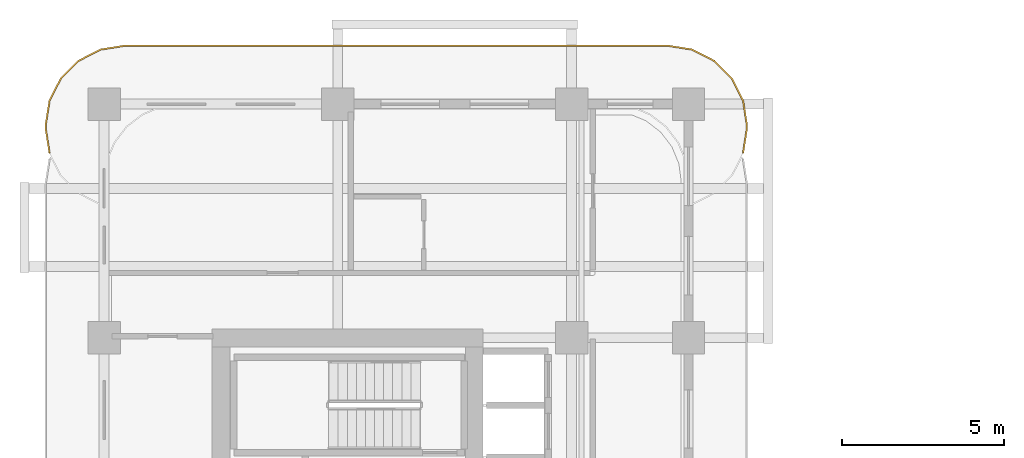
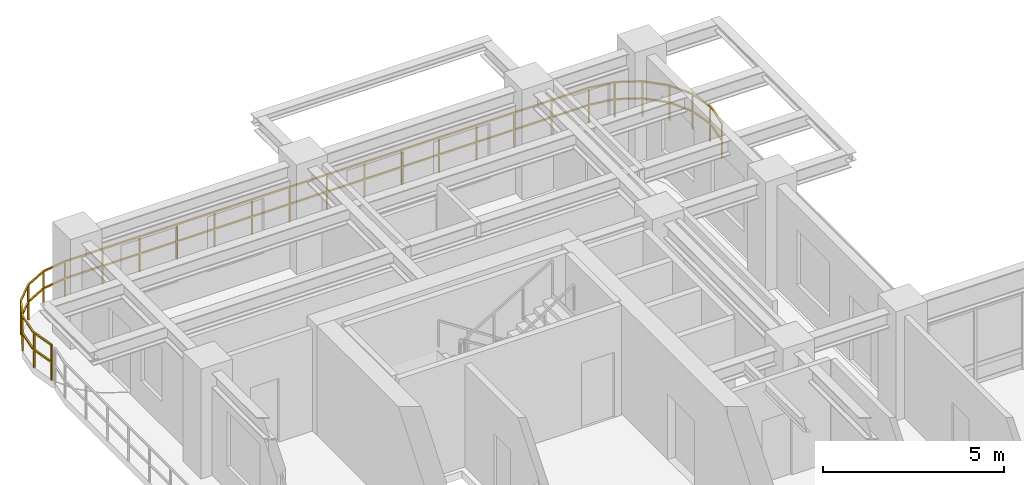
# One storey, part 20 of 20: 1 railing.
"""IFC4 building model written with IfcOpenShell, lengths in metres."""

from ifc_helpers import new_model, si_unit, derived_unit, direction, frame, origin, origin_2d, place, context, subcontext, project, spatial, rectangle, extrude, material, type_object, element, save


model = new_model("IFC4")

# Units and contexts
model_context = context("Model", 3, precision=1e-05, world=origin(), true_north=direction((0.0, 1.0)))
body_context = subcontext(model_context, "Body", "Model", "MODEL_VIEW")
ifc_project = project(units=[si_unit("LENGTHUNIT", "METRE"), si_unit("AREAUNIT", "SQUARE_METRE"), si_unit("VOLUMEUNIT", "CUBIC_METRE"), si_unit("PLANEANGLEUNIT", "RADIAN"), si_unit("MASSUNIT", "GRAM", prefix="KILO"), si_unit("THERMODYNAMICTEMPERATUREUNIT", "KELVIN"), si_unit("POWERUNIT", "WATT"), derived_unit("THERMALTRANSMITTANCEUNIT", [(si_unit("POWERUNIT", "WATT"), 1), (si_unit("AREAUNIT", "SQUARE_METRE"), -1), (si_unit("THERMODYNAMICTEMPERATUREUNIT", "KELVIN"), -1)])], contexts=[model_context])

# Site, building, storey
site_placement = place(None, origin())
site = spatial("IfcSite", under=ifc_project, at=site_placement, CompositionType="ELEMENT")
building_placement = place(site_placement, origin())
building = spatial("IfcBuilding", under=site, at=building_placement, Name="Zahravan Archway Hotel and Residences", CompositionType="ELEMENT")
storey_placement = place(building_placement, frame((0.0, 0.0, 111.800048828125)))
storey = spatial("IfcBuildingStorey", under=building, at=storey_placement, Name="L27", CompositionType="ELEMENT", Elevation=111.800048828125)

# Railing
ifc_material = material(Name="Bronze & Laminated Glass Balustrade", Category="glass")
railing_type = type_object("IfcRailingType", Name="RL-BAL-1200", PredefinedType="BALUSTRADE", material=ifc_material)
railing_placement = place(storey_placement, frame((-1.68017578125, 45.29296875, 0.0)))
element("IfcRailing", 1, at=railing_placement, inside=storey, type_object=railing_type, Name="L27 Balustrade RL-SLB-BAL-L27-NB-1", PredefinedType="BALUSTRADE", context=body_context, shape_type="SweptSolid", body=[
    extrude(rectangle(XDim=0.048095703125, YDim=0.048095703125, at=origin_2d()), frame((0.0, 0.0, 1.17578125), z_axis=(-0.156387811283, 0.987695728695, 0.0), x_axis=(-0.987695728695, -0.156387811283, 0.0)), (0.0, 0.0, 1.0), 0.7666015625),
    extrude(rectangle(XDim=0.048095703125, YDim=0.048095703125, at=origin_2d()), frame((0.0, 0.0, 0.60009765625), z_axis=(-0.156387811283, 0.987695728695, 0.0), x_axis=(-0.987695728695, -0.156387811283, 0.0)), (0.0, 0.0, 1.0), 0.7666015625),
    extrude(rectangle(XDim=0.048095703125, YDim=0.048095703125, at=origin_2d()), frame((-0.119873046875, 0.757080078125, 1.17578125), z_axis=(0.0, 1.0, 0.0), x_axis=(-1.0, 0.0, 0.0)), (0.0, 0.0, 1.0), 0.099853515625),
    extrude(rectangle(XDim=0.048095703125, YDim=0.048095703125, at=origin_2d()), frame((-0.119873046875, 0.757080078125, 0.60009765625), z_axis=(0.0, 1.0, 0.0), x_axis=(-1.0, 0.0, 0.0)), (0.0, 0.0, 1.0), 0.099853515625),
    extrude(rectangle(XDim=0.048095703125, YDim=0.048095703125, at=origin_2d()), frame((-0.119873046875, 0.85693359375, 1.17578125), z_axis=(0.156387811283, 0.987695728695, 0.0), x_axis=(-0.987695728695, 0.156387811283, 0.0)), (0.0, 0.0, 1.0), 0.7666015625),
    extrude(rectangle(XDim=0.048095703125, YDim=0.048095703125, at=origin_2d()), frame((-0.119873046875, 0.85693359375, 0.60009765625), z_axis=(0.156387811283, 0.987695728695, 0.0), x_axis=(-0.987695728695, 0.156387811283, 0.0)), (0.0, 0.0, 1.0), 0.7666015625),
    extrude(rectangle(XDim=0.048095703125, YDim=0.048095703125, at=origin_2d()), frame((0.0, 1.614013671875, 1.17578125), z_axis=(0.454078418624, 0.890961721815, 0.0), x_axis=(-0.890961721815, 0.454078418624, 0.0)), (0.0, 0.0, 1.0), 0.7666015625),
    extrude(rectangle(XDim=0.048095703125, YDim=0.048095703125, at=origin_2d()), frame((0.0, 1.614013671875, 0.60009765625), z_axis=(0.454078418624, 0.890961721815, 0.0), x_axis=(-0.890961721815, 0.454078418624, 0.0)), (0.0, 0.0, 1.0), 0.7666015625),
    extrude(rectangle(XDim=0.048095703125, YDim=0.048095703125, at=origin_2d()), frame((0.34814453125, 2.297119140625, 1.17578125), z_axis=(0.707106781187, 0.707106781187, 0.0), x_axis=(-0.707106781187, 0.707106781187, 0.0)), (0.0, 0.0, 1.0), 0.7666015625),
    extrude(rectangle(XDim=0.048095703125, YDim=0.048095703125, at=origin_2d()), frame((0.34814453125, 2.297119140625, 0.60009765625), z_axis=(0.707106781187, 0.707106781187, 0.0), x_axis=(-0.707106781187, 0.707106781187, 0.0)), (0.0, 0.0, 1.0), 0.7666015625),
    extrude(rectangle(XDim=0.048095703125, YDim=0.048095703125, at=origin_2d()), frame((0.89013671875, 2.839111328125, 1.17578125), z_axis=(0.891024909783, 0.453954414172, 0.0), x_axis=(-0.453954414172, 0.891024909783, 0.0)), (0.0, 0.0, 1.0), 0.766357421875),
    extrude(rectangle(XDim=0.048095703125, YDim=0.048095703125, at=origin_2d()), frame((0.89013671875, 2.839111328125, 0.60009765625), z_axis=(0.891024909783, 0.453954414172, 0.0), x_axis=(-0.453954414172, 0.891024909783, 0.0)), (0.0, 0.0, 1.0), 0.766357421875),
    extrude(rectangle(XDim=0.048095703125, YDim=0.048095703125, at=origin_2d()), frame((1.572998046875, 3.18701171875, 1.17578125), z_axis=(0.987646484274, 0.156698507018, 0.0), x_axis=(-0.156698507018, 0.987646484274, 0.0)), (0.0, 0.0, 1.0), 0.7666015625),
    extrude(rectangle(XDim=0.048095703125, YDim=0.048095703125, at=origin_2d()), frame((1.572998046875, 3.18701171875, 0.60009765625), z_axis=(0.987646484274, 0.156698507018, 0.0), x_axis=(-0.156698507018, 0.987646484274, 0.0)), (0.0, 0.0, 1.0), 0.7666015625),
    extrude(rectangle(XDim=0.048095703125, YDim=0.048095703125, at=origin_2d()), frame((2.330078125, 3.30712890625, 1.17578125), z_axis=(1.0, 0.0, 0.0), x_axis=(0.0, 1.0, 0.0)), (0.0, 0.0, 1.0), 16.7001953125),
    extrude(rectangle(XDim=0.048095703125, YDim=0.048095703125, at=origin_2d()), frame((2.330078125, 3.30712890625, 0.60009765625), z_axis=(1.0, 0.0, 0.0), x_axis=(0.0, 1.0, 0.0)), (0.0, 0.0, 1.0), 16.7001953125),
    extrude(rectangle(XDim=0.048095703125, YDim=0.048095703125, at=origin_2d()), frame((19.0302734375, 3.30712890625, 1.17578125), z_axis=(0.987646484274, -0.156698507018, 0.0), x_axis=(0.156698507018, 0.987646484274, 0.0)), (0.0, 0.0, 1.0), 0.7666015625),
    extrude(rectangle(XDim=0.048095703125, YDim=0.048095703125, at=origin_2d()), frame((19.0302734375, 3.30712890625, 0.60009765625), z_axis=(0.987646484274, -0.156698507018, 0.0), x_axis=(0.156698507018, 0.987646484274, 0.0)), (0.0, 0.0, 1.0), 0.7666015625),
    extrude(rectangle(XDim=0.048095703125, YDim=0.048095703125, at=origin_2d()), frame((19.787353515625, 3.18701171875, 1.17578125), z_axis=(0.891024909783, -0.453954414172, 0.0), x_axis=(0.453954414172, 0.891024909783, 0.0)), (0.0, 0.0, 1.0), 0.766357421875),
    extrude(rectangle(XDim=0.048095703125, YDim=0.048095703125, at=origin_2d()), frame((19.787353515625, 3.18701171875, 0.60009765625), z_axis=(0.891024909783, -0.453954414172, 0.0), x_axis=(0.453954414172, 0.891024909783, 0.0)), (0.0, 0.0, 1.0), 0.766357421875),
    extrude(rectangle(XDim=0.048095703125, YDim=0.048095703125, at=origin_2d()), frame((20.47021484375, 2.839111328125, 1.17578125), z_axis=(0.707106781187, -0.707106781187, 0.0), x_axis=(0.707106781187, 0.707106781187, 0.0)), (0.0, 0.0, 1.0), 0.7666015625),
    extrude(rectangle(XDim=0.048095703125, YDim=0.048095703125, at=origin_2d()), frame((20.47021484375, 2.839111328125, 0.60009765625), z_axis=(0.707106781187, -0.707106781187, 0.0), x_axis=(0.707106781187, 0.707106781187, 0.0)), (0.0, 0.0, 1.0), 0.7666015625),
    extrude(rectangle(XDim=0.048095703125, YDim=0.048095703125, at=origin_2d()), frame((21.01220703125, 2.297119140625, 1.17578125), z_axis=(0.454078418624, -0.890961721815, 0.0), x_axis=(0.890961721815, 0.454078418624, 0.0)), (0.0, 0.0, 1.0), 0.7666015625),
    extrude(rectangle(XDim=0.048095703125, YDim=0.048095703125, at=origin_2d()), frame((21.01220703125, 2.297119140625, 0.60009765625), z_axis=(0.454078418624, -0.890961721815, 0.0), x_axis=(0.890961721815, 0.454078418624, 0.0)), (0.0, 0.0, 1.0), 0.7666015625),
    extrude(rectangle(XDim=0.048095703125, YDim=0.048095703125, at=origin_2d()), frame((21.3603515625, 1.614013671875, 1.17578125), z_axis=(0.156387811283, -0.987695728695, 0.0), x_axis=(0.987695728695, 0.156387811283, 0.0)), (0.0, 0.0, 1.0), 0.7666015625),
    extrude(rectangle(XDim=0.048095703125, YDim=0.048095703125, at=origin_2d()), frame((21.3603515625, 1.614013671875, 0.60009765625), z_axis=(0.156387811283, -0.987695728695, 0.0), x_axis=(0.987695728695, 0.156387811283, 0.0)), (0.0, 0.0, 1.0), 0.7666015625),
    extrude(rectangle(XDim=0.048095703125, YDim=0.048095703125, at=origin_2d()), frame((21.480224609375, 0.85693359375, 1.17578125), z_axis=(0.0, -1.0, 0.0), x_axis=(1.0, 0.0, 0.0)), (0.0, 0.0, 1.0), 0.099853515625),
    extrude(rectangle(XDim=0.048095703125, YDim=0.048095703125, at=origin_2d()), frame((21.480224609375, 0.85693359375, 0.60009765625), z_axis=(0.0, -1.0, 0.0), x_axis=(1.0, 0.0, 0.0)), (0.0, 0.0, 1.0), 0.099853515625),
    extrude(rectangle(XDim=0.048095703125, YDim=0.048095703125, at=origin_2d()), frame((21.480224609375, 0.757080078125, 1.17578125), z_axis=(-0.156387811283, -0.987695728695, 0.0), x_axis=(0.987695728695, -0.156387811283, 0.0)), (0.0, 0.0, 1.0), 0.7666015625),
    extrude(rectangle(XDim=0.048095703125, YDim=0.048095703125, at=origin_2d()), frame((21.480224609375, 0.757080078125, 0.60009765625), z_axis=(-0.156387811283, -0.987695728695, 0.0), x_axis=(0.987695728695, -0.156387811283, 0.0)), (0.0, 0.0, 1.0), 0.7666015625),
    extrude(rectangle(XDim=0.0419921875, YDim=0.0419921875, at=origin_2d()), origin(), (0.0, 0.0, 1.0), 1.15185546875),
    extrude(rectangle(XDim=0.0419921875, YDim=0.0419921875, at=origin_2d()), frame((-0.119873046875, 0.757080078125, 0.0)), (0.0, 0.0, 1.0), 1.15185546875),
    extrude(rectangle(XDim=0.0419921875, YDim=0.0419921875, at=origin_2d()), frame((0.0, 1.614013671875, 0.0)), (0.0, 0.0, 1.0), 1.15185546875),
    extrude(rectangle(XDim=0.0419921875, YDim=0.0419921875, at=origin_2d()), frame((0.34814453125, 2.297119140625, 0.0)), (0.0, 0.0, 1.0), 1.15185546875),
    extrude(rectangle(XDim=0.0419921875, YDim=0.0419921875, at=origin_2d()), frame((0.89013671875, 2.839111328125, 0.0)), (0.0, 0.0, 1.0), 1.15185546875),
    extrude(rectangle(XDim=0.0419921875, YDim=0.0419921875, at=origin_2d()), frame((1.572998046875, 3.18701171875, 0.0)), (0.0, 0.0, 1.0), 1.15185546875),
    extrude(rectangle(XDim=0.0419921875, YDim=0.0419921875, at=origin_2d()), frame((2.330078125, 3.30712890625, 0.0)), (0.0, 0.0, 1.0), 1.15185546875),
    extrude(rectangle(XDim=0.0419921875, YDim=0.0419921875, at=origin_2d()), frame((3.52294921875, 3.30712890625, 0.0)), (0.0, 0.0, 1.0), 1.15185546875),
    extrude(rectangle(XDim=0.0419921875, YDim=0.0419921875, at=origin_2d()), frame((4.7158203125, 3.30712890625, 0.0)), (0.0, 0.0, 1.0), 1.15185546875),
    extrude(rectangle(XDim=0.0419921875, YDim=0.0419921875, at=origin_2d()), frame((5.90869140625, 3.30712890625, 0.0)), (0.0, 0.0, 1.0), 1.15185546875),
    extrude(rectangle(XDim=0.0419921875, YDim=0.0419921875, at=origin_2d()), frame((7.1015625, 3.30712890625, 0.0)), (0.0, 0.0, 1.0), 1.15185546875),
    extrude(rectangle(XDim=0.0419921875, YDim=0.0419921875, at=origin_2d()), frame((8.29443359375, 3.30712890625, 0.0)), (0.0, 0.0, 1.0), 1.15185546875),
    extrude(rectangle(XDim=0.0419921875, YDim=0.0419921875, at=origin_2d()), frame((9.4873046875, 3.30712890625, 0.0)), (0.0, 0.0, 1.0), 1.15185546875),
    extrude(rectangle(XDim=0.0419921875, YDim=0.0419921875, at=origin_2d()), frame((10.68017578125, 3.30712890625, 0.0)), (0.0, 0.0, 1.0), 1.15185546875),
    extrude(rectangle(XDim=0.0419921875, YDim=0.0419921875, at=origin_2d()), frame((11.873046875, 3.30712890625, 0.0)), (0.0, 0.0, 1.0), 1.15185546875),
    extrude(rectangle(XDim=0.0419921875, YDim=0.0419921875, at=origin_2d()), frame((13.06591796875, 3.30712890625, 0.0)), (0.0, 0.0, 1.0), 1.15185546875),
    extrude(rectangle(XDim=0.0419921875, YDim=0.0419921875, at=origin_2d()), frame((14.2587890625, 3.30712890625, 0.0)), (0.0, 0.0, 1.0), 1.15185546875),
    extrude(rectangle(XDim=0.0419921875, YDim=0.0419921875, at=origin_2d()), frame((15.45166015625, 3.30712890625, 0.0)), (0.0, 0.0, 1.0), 1.15185546875),
    extrude(rectangle(XDim=0.0419921875, YDim=0.0419921875, at=origin_2d()), frame((16.64453125, 3.30712890625, 0.0)), (0.0, 0.0, 1.0), 1.15185546875),
    extrude(rectangle(XDim=0.0419921875, YDim=0.0419921875, at=origin_2d()), frame((17.83740234375, 3.30712890625, 0.0)), (0.0, 0.0, 1.0), 1.15185546875),
    extrude(rectangle(XDim=0.0419921875, YDim=0.0419921875, at=origin_2d()), frame((19.0302734375, 3.30712890625, 0.0)), (0.0, 0.0, 1.0), 1.15185546875),
    extrude(rectangle(XDim=0.0419921875, YDim=0.0419921875, at=origin_2d()), frame((19.787353515625, 3.18701171875, 0.0)), (0.0, 0.0, 1.0), 1.15185546875),
    extrude(rectangle(XDim=0.0419921875, YDim=0.0419921875, at=origin_2d()), frame((20.47021484375, 2.839111328125, 0.0)), (0.0, 0.0, 1.0), 1.15185546875),
    extrude(rectangle(XDim=0.0419921875, YDim=0.0419921875, at=origin_2d()), frame((21.01220703125, 2.297119140625, 0.0)), (0.0, 0.0, 1.0), 1.15185546875),
    extrude(rectangle(XDim=0.0419921875, YDim=0.0419921875, at=origin_2d()), frame((21.3603515625, 1.614013671875, 0.0)), (0.0, 0.0, 1.0), 1.15185546875),
    extrude(rectangle(XDim=0.0419921875, YDim=0.0419921875, at=origin_2d()), frame((21.480224609375, 0.85693359375, 0.0)), (0.0, 0.0, 1.0), 1.15185546875),
    extrude(rectangle(XDim=0.0419921875, YDim=0.0419921875, at=origin_2d()), frame((21.3603515625, 0.0, 0.0)), (0.0, 0.0, 1.0), 1.15185546875),
])

save(model, "model.ifc")
